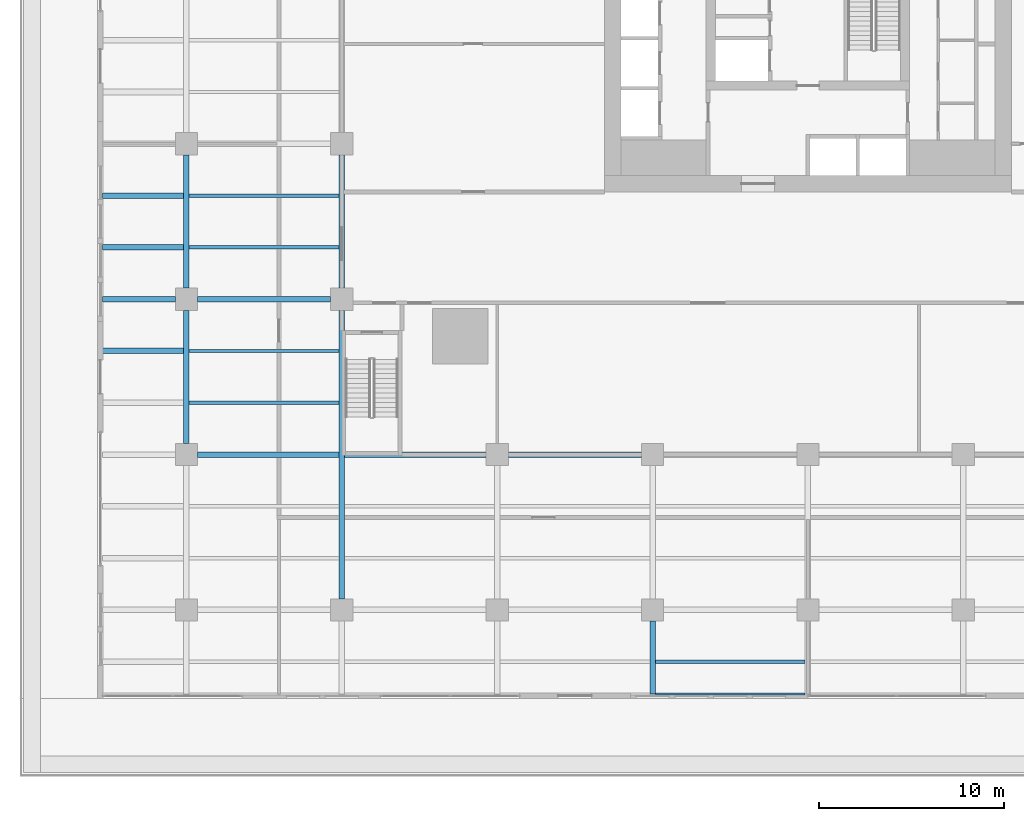
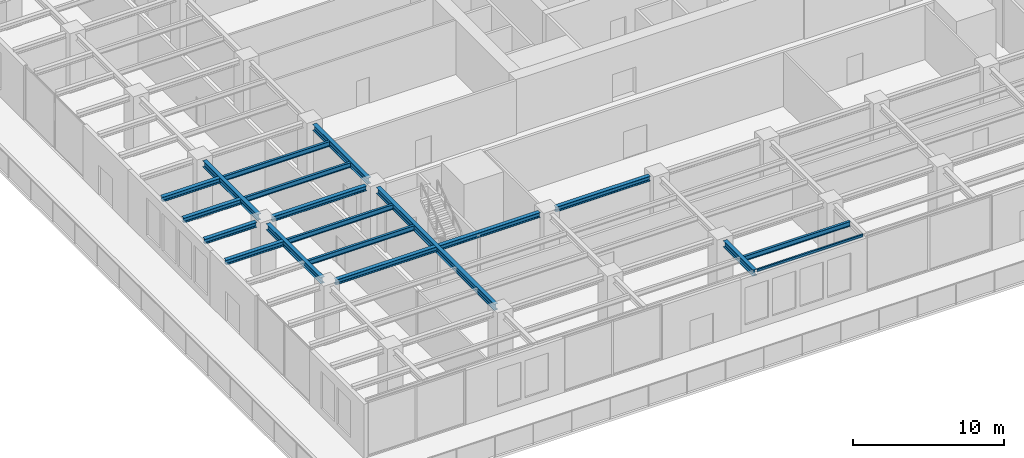
# One storey, part 3 of 32: 18 beams.
"""IFC4 building model written with IfcOpenShell, lengths in metres."""

from ifc_helpers import new_model, si_unit, direction, frame, origin, origin_2d, place, context, subcontext, project, spatial, i_section, extrude, material, material_profile, profile_set, type_object, element, save


model = new_model("IFC4")

# Units and contexts
model_context = context("Model", 3, precision=1e-05, world=origin(), true_north=direction((0.0, 1.0)))
body_context = subcontext(model_context, "Body", "Model", "MODEL_VIEW")
ifc_project = project(units=[si_unit("LENGTHUNIT", "METRE"), si_unit("AREAUNIT", "SQUARE_METRE"), si_unit("VOLUMEUNIT", "CUBIC_METRE"), si_unit("PLANEANGLEUNIT", "RADIAN"), si_unit("MASSUNIT", "GRAM", prefix="KILO")], contexts=[model_context])

# Site, building, storey
site_placement = place(None, origin())
site = spatial("IfcSite", under=ifc_project, at=site_placement, CompositionType="ELEMENT")
building_placement = place(site_placement, origin())
building = spatial("IfcBuilding", under=site, at=building_placement, Name="Khepri Terraces", CompositionType="ELEMENT")
storey_placement = place(building_placement, frame((0.0, 0.0, 12.0)))
storey = spatial("IfcBuildingStorey", under=building, at=storey_placement, Name="L02", CompositionType="ELEMENT", Elevation=12.0)

# Beams
ifc_material = material(Name="Steel S355", Category="steel")
ifc_material_profile_1 = material_profile(ifc_material, i_section(OverallWidth=0.300048828125, OverallDepth=0.5, WebThickness=0.014404296875, FlangeThickness=0.028076171875, FilletRadius=0.027099609375, at=origin_2d()), Name="Steel S355", Category="steel")
ifc_profile_set_1 = profile_set([ifc_material_profile_1], Name="Steel S355")
beam_type_1 = type_object("IfcBeamType", Name="Podium cantilever girder L03 HEB 500", PredefinedType="BEAM", material=ifc_profile_set_1)
beam_1_placement = place(storey_placement, frame((-8.39990234375, -38.14990234375, 4.35009765625), z_axis=(0.0, 1.0, 0.0), x_axis=(-1.0, 0.0, 0.0)))
element("IfcBeam", 1, at=beam_1_placement, inside=storey, type_object=beam_type_1, Name="Podium girder L03 023", PredefinedType="BEAM", context=body_context, shape_type="SweptSolid", body=[
    extrude(i_section(OverallWidth=0.300048828125, OverallDepth=0.5, WebThickness=0.014404296875, FlangeThickness=0.028076171875, FilletRadius=0.027099609375, at=origin_2d()), origin(), (0.0, 0.0, 1.0), 3.949951171875),
])
ifc_material_profile_2 = material_profile(ifc_material, i_section(OverallWidth=0.300048828125, OverallDepth=0.389892578125, WebThickness=0.010986328125, FlangeThickness=0.01904296875, FilletRadius=0.027099609375, at=origin_2d()), Name="Steel S355", Category="steel")
ifc_profile_set_2 = profile_set([ifc_material_profile_2], Name="Steel S355")
beam_type_2 = type_object("IfcBeamType", Name="Podium cantilever joist L03 HEA 400", PredefinedType="JOIST", material=ifc_profile_set_2)
for number, where, z_axis, x_axis, name in (
    (2, (-38.14990234375, -19.60009765625, 4.405029296875), (1.0, 0.0, 0.0), (0.0, 1.0, 0.0), "Podium cantilever joist L03 053"),
    (3, (-38.14990234375, -14.0, 4.405029296875), (1.0, 0.0, 0.0), (0.0, 1.0, 0.0), "Podium cantilever joist L03 061"),
    (4, (-38.14990234375, -11.199951171875, 4.405029296875), (1.0, 0.0, 0.0), (0.0, 1.0, 0.0), "Podium cantilever joist L03 065"),
):
    element("IfcBeam", number, at=place(storey_placement, frame(where, z_axis=z_axis, x_axis=x_axis)), inside=storey, type_object=beam_type_2, Name=name, PredefinedType="JOIST", context=body_context, shape_type="SweptSolid", body=[
        extrude(i_section(OverallWidth=0.300048828125, OverallDepth=0.389892578125, WebThickness=0.010986328125, FlangeThickness=0.01904296875, FilletRadius=0.027099609375, at=origin_2d()), origin(), (0.0, 0.0, 1.0), 4.39990234375),
    ])
ifc_material_profile_3 = material_profile(ifc_material, i_section(OverallWidth=0.1201171875, OverallDepth=0.239990234375, WebThickness=0.006103515625, FlangeThickness=0.009765625, FilletRadius=0.014892578125, at=origin_2d()), Name="Steel S355", Category="steel")
ifc_profile_set_3 = profile_set([ifc_material_profile_3], Name="Steel S355")
beam_type_3 = type_object("IfcBeamType", Name="Podium edge beam L03 IPE 240", PredefinedType="SPANDREL", material=ifc_profile_set_3)
beam_2_placement = place(storey_placement, frame((-8.25, -38.14990234375, 4.47998046875), z_axis=(1.0, 0.0, 0.0), x_axis=(0.0, 1.0, 0.0)))
element("IfcBeam", 5, at=beam_2_placement, inside=storey, type_object=beam_type_3, Name="Podium edge beam L03 005", PredefinedType="SPANDREL", context=body_context, shape_type="SweptSolid", body=[
    extrude(i_section(OverallWidth=0.1201171875, OverallDepth=0.239990234375, WebThickness=0.006103515625, FlangeThickness=0.009765625, FilletRadius=0.014892578125, at=origin_2d()), origin(), (0.0, 0.0, 1.0), 8.10009765625),
])
ifc_material_profile_4 = material_profile(ifc_material, i_section(OverallWidth=0.300048828125, OverallDepth=0.5, WebThickness=0.014404296875, FlangeThickness=0.028076171875, FilletRadius=0.027099609375, at=origin_2d()), Name="Steel S355", Category="steel")
ifc_profile_set_4 = profile_set([ifc_material_profile_4], Name="Steel S355")
beam_type_4 = type_object("IfcBeamType", Name="Podium girder L03 HEB 500", PredefinedType="BEAM", material=ifc_profile_set_4)
beam_3_placement = place(storey_placement, frame((-33.60009765625, -24.60009765625, 4.35009765625), z_axis=(0.0, 1.0, 0.0), x_axis=(-1.0, 0.0, 0.0)))
element("IfcBeam", 6, at=beam_3_placement, inside=storey, type_object=beam_type_4, Name="Podium girder L03 003", PredefinedType="BEAM", context=body_context, shape_type="SweptSolid", body=[
    extrude(i_section(OverallWidth=0.300048828125, OverallDepth=0.5, WebThickness=0.014404296875, FlangeThickness=0.028076171875, FilletRadius=0.027099609375, at=origin_2d()), origin(), (0.0, 0.0, 1.0), 7.2001953125),
])
beam_4_placement = place(storey_placement, frame((-33.60009765625, -16.199951171875, 4.35009765625), z_axis=(0.0, 1.0, 0.0), x_axis=(-1.0, 0.0, 0.0)))
element("IfcBeam", 7, at=beam_4_placement, inside=storey, type_object=beam_type_4, Name="Podium girder L03 004", PredefinedType="BEAM", context=body_context, shape_type="SweptSolid", body=[
    extrude(i_section(OverallWidth=0.300048828125, OverallDepth=0.5, WebThickness=0.014404296875, FlangeThickness=0.028076171875, FilletRadius=0.027099609375, at=origin_2d()), origin(), (0.0, 0.0, 1.0), 7.199951171875),
])
beam_5_placement = place(storey_placement, frame((-25.199951171875, -33.0, 4.35009765625), z_axis=(0.0, 1.0, 0.0), x_axis=(-1.0, 0.0, 0.0)))
element("IfcBeam", 8, at=beam_5_placement, inside=storey, type_object=beam_type_4, Name="Podium girder L03 012", PredefinedType="BEAM", context=body_context, shape_type="SweptSolid", body=[
    extrude(i_section(OverallWidth=0.300048828125, OverallDepth=0.5, WebThickness=0.014404296875, FlangeThickness=0.028076171875, FilletRadius=0.027099609375, at=origin_2d()), origin(), (0.0, 0.0, 1.0), 15.60009765625),
])
ifc_material_profile_5 = material_profile(ifc_material, i_section(OverallWidth=0.300048828125, OverallDepth=0.39990234375, WebThickness=0.013427734375, FlangeThickness=0.02392578125, FilletRadius=0.027099609375, at=origin_2d()), Name="Steel S355", Category="steel")
ifc_profile_set_5 = profile_set([ifc_material_profile_5], Name="Steel S355")
beam_type_5 = type_object("IfcBeamType", Name="Podium girder L03 grid line HEB 400", PredefinedType="BEAM", material=ifc_profile_set_5)
beam_6_placement = place(storey_placement, frame((-33.0, -25.199951171875, 4.39990234375), z_axis=(1.0, 0.0, 0.0), x_axis=(0.0, 1.0, 0.0)))
element("IfcBeam", 9, at=beam_6_placement, inside=storey, type_object=beam_type_5, Name="Podium grid-line girder L03 042", PredefinedType="BEAM", context=body_context, shape_type="SweptSolid", body=[
    extrude(i_section(OverallWidth=0.300048828125, OverallDepth=0.39990234375, WebThickness=0.013427734375, FlangeThickness=0.02392578125, FilletRadius=0.027099609375, at=origin_2d()), origin(), (0.0, 0.0, 1.0), 15.60009765625),
])
beam_7_placement = place(storey_placement, frame((-16.199951171875, -25.199951171875, 4.39990234375), z_axis=(1.0, 0.0, 0.0), x_axis=(0.0, 1.0, 0.0)))
element("IfcBeam", 10, at=beam_7_placement, inside=storey, type_object=beam_type_5, Name="Podium grid-line girder L03 043", PredefinedType="BEAM", context=body_context, shape_type="SweptSolid", body=[
    extrude(i_section(OverallWidth=0.300048828125, OverallDepth=0.39990234375, WebThickness=0.013427734375, FlangeThickness=0.02392578125, FilletRadius=0.027099609375, at=origin_2d()), origin(), (0.0, 0.0, 1.0), 7.199951171875),
])
beam_8_placement = place(storey_placement, frame((-38.14990234375, -16.800048828125, 4.39990234375), z_axis=(1.0, 0.0, 0.0), x_axis=(0.0, 1.0, 0.0)))
element("IfcBeam", 11, at=beam_8_placement, inside=storey, type_object=beam_type_5, Name="Podium grid-line girder L03 057", PredefinedType="BEAM", context=body_context, shape_type="SweptSolid", body=[
    extrude(i_section(OverallWidth=0.300048828125, OverallDepth=0.39990234375, WebThickness=0.013427734375, FlangeThickness=0.02392578125, FilletRadius=0.027099609375, at=origin_2d()), origin(), (0.0, 0.0, 1.0), 3.949951171875),
])
beam_9_placement = place(storey_placement, frame((-33.0, -16.800048828125, 4.39990234375), z_axis=(1.0, 0.0, 0.0), x_axis=(0.0, 1.0, 0.0)))
element("IfcBeam", 12, at=beam_9_placement, inside=storey, type_object=beam_type_5, Name="Podium grid-line girder L03 058", PredefinedType="BEAM", context=body_context, shape_type="SweptSolid", body=[
    extrude(i_section(OverallWidth=0.300048828125, OverallDepth=0.39990234375, WebThickness=0.013427734375, FlangeThickness=0.02392578125, FilletRadius=0.027099609375, at=origin_2d()), origin(), (0.0, 0.0, 1.0), 7.199951171875),
])
ifc_material_profile_6 = material_profile(ifc_material, i_section(OverallWidth=0.179931640625, OverallDepth=0.39990234375, WebThickness=0.008544921875, FlangeThickness=0.013427734375, FilletRadius=0.02099609375, at=origin_2d()), Name="Steel S355", Category="steel")
ifc_profile_set_6 = profile_set([ifc_material_profile_6], Name="Steel S355")
beam_type_6 = type_object("IfcBeamType", Name="Podium joist L03 IPE 400", PredefinedType="JOIST", material=ifc_profile_set_6)
beam_10_placement = place(storey_placement, frame((-8.25, -36.39990234375, 4.39990234375), z_axis=(1.0, 0.0, 0.0), x_axis=(0.0, 1.0, 0.0)))
element("IfcBeam", 13, at=beam_10_placement, inside=storey, type_object=beam_type_6, Name="Podium joist L03 005", PredefinedType="JOIST", context=body_context, shape_type="SweptSolid", body=[
    extrude(i_section(OverallWidth=0.179931640625, OverallDepth=0.39990234375, WebThickness=0.008544921875, FlangeThickness=0.013427734375, FilletRadius=0.02099609375, at=origin_2d()), origin(), (0.0, 0.0, 1.0), 8.10009765625),
])
for number, where, z_axis, x_axis, name in (
    (14, (-33.449951171875, -22.39990234375, 4.39990234375), (1.0, 0.0, 0.0), (0.0, 1.0, 0.0), "Podium joist L03 050"),
    (15, (-33.449951171875, -19.60009765625, 4.39990234375), (1.0, 0.0, 0.0), (0.0, 1.0, 0.0), "Podium joist L03 054"),
    (16, (-33.449951171875, -14.0, 4.39990234375), (1.0, 0.0, 0.0), (0.0, 1.0, 0.0), "Podium joist L03 062"),
    (17, (-33.449951171875, -11.199951171875, 4.39990234375), (1.0, 0.0, 0.0), (0.0, 1.0, 0.0), "Podium joist L03 066"),
):
    element("IfcBeam", number, at=place(storey_placement, frame(where, z_axis=z_axis, x_axis=x_axis)), inside=storey, type_object=beam_type_6, Name=name, PredefinedType="JOIST", context=body_context, shape_type="SweptSolid", body=[
        extrude(i_section(OverallWidth=0.179931640625, OverallDepth=0.39990234375, WebThickness=0.008544921875, FlangeThickness=0.013427734375, FilletRadius=0.02099609375, at=origin_2d()), origin(), (0.0, 0.0, 1.0), 8.099853515625),
    ])
ifc_material_profile_7 = material_profile(ifc_material, i_section(OverallWidth=0.300048828125, OverallDepth=0.5, WebThickness=0.014404296875, FlangeThickness=0.028076171875, FilletRadius=0.027099609375, at=origin_2d()), Name="Steel S355", Category="steel")
ifc_profile_set_7 = profile_set([ifc_material_profile_7], Name="Steel S355")
beam_type_7 = type_object("IfcBeamType", Name="Tower ring beam HEB 500", PredefinedType="BEAM", material=ifc_profile_set_7)
beam_11_placement = place(storey_placement, frame((-25.199951171875, -16.199951171875, 4.35009765625), z_axis=(0.0, 1.0, 0.0), x_axis=(-1.0, 0.0, 0.0)))
element("IfcBeam", 18, at=beam_11_placement, inside=storey, type_object=beam_type_7, Name="Ring beam L03 013", PredefinedType="BEAM", context=body_context, shape_type="SweptSolid", body=[
    extrude(i_section(OverallWidth=0.300048828125, OverallDepth=0.5, WebThickness=0.014404296875, FlangeThickness=0.028076171875, FilletRadius=0.027099609375, at=origin_2d()), origin(), (0.0, 0.0, 1.0), 7.199951171875),
])

save(model, "model.ifc")
